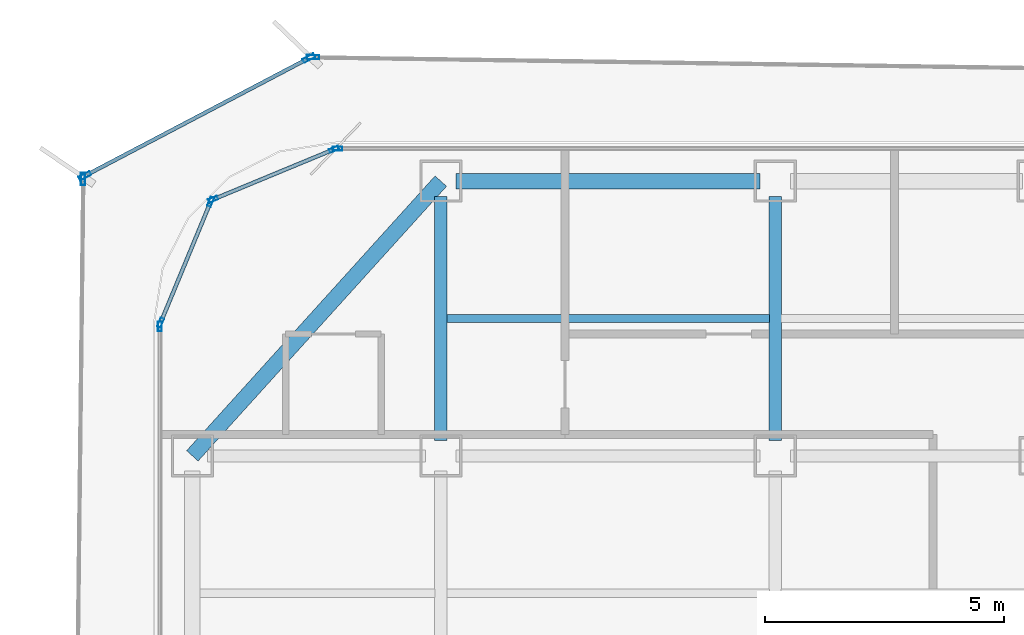
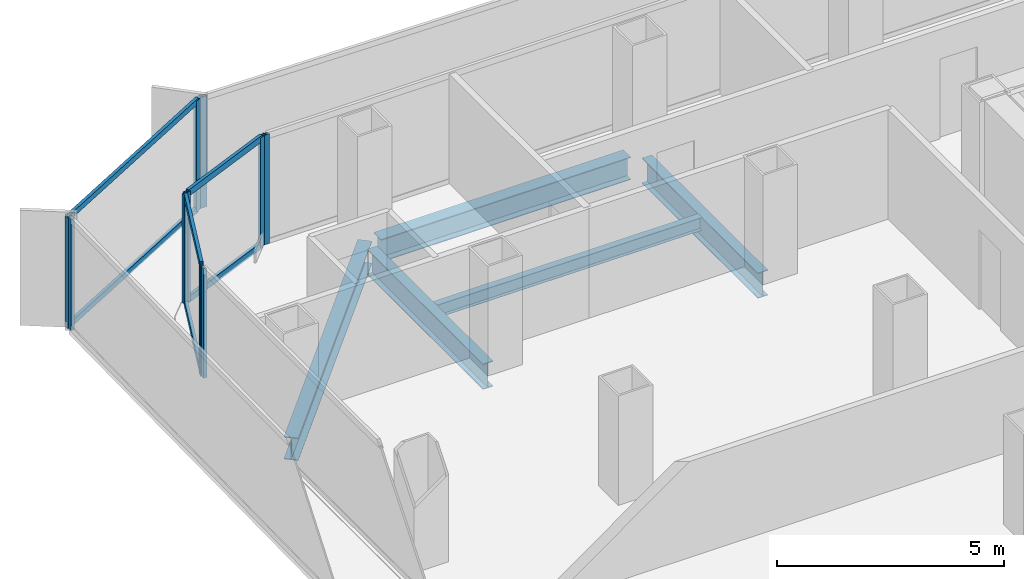
# One storey, part 10 of 21: 16 members, 5 beams, 7 elements without a shape of their own.
"""IFC4 building model written with IfcOpenShell, lengths in metres."""

from ifc_helpers import new_model, si_unit, direction, frame, origin, origin_2d, place, context, subcontext, project, spatial, hollow_rectangle, i_section, extrude, source, transform, mapped, material, layer, layer_set, material_profile, profile_set, type_object, element, aggregate, save


model = new_model("IFC4")

# Units and contexts
model_context = context("Model", 3, precision=1e-05, world=origin(), true_north=direction((0.0, 1.0)))
body_context = subcontext(model_context, "Body", "Model", "MODEL_VIEW")
ifc_project = project(units=[si_unit("LENGTHUNIT", "METRE"), si_unit("AREAUNIT", "SQUARE_METRE"), si_unit("VOLUMEUNIT", "CUBIC_METRE"), si_unit("PLANEANGLEUNIT", "RADIAN"), si_unit("MASSUNIT", "GRAM", prefix="KILO")], contexts=[model_context])

# Site, building, storey
site_placement = place(None, origin())
site = spatial("IfcSite", under=ifc_project, at=site_placement, CompositionType="ELEMENT")
building_placement = place(site_placement, origin())
building = spatial("IfcBuilding", under=site, at=building_placement, Name="Kolveth Station Tower", CompositionType="ELEMENT")
storey_placement = place(building_placement, frame((0.0, 0.0, 115.10009765625)))
storey = spatial("IfcBuildingStorey", under=building, at=storey_placement, Name="L31", CompositionType="ELEMENT", Elevation=115.10009765625)

# Beams
ifc_material_1 = material(Name="Steel S355", Category="steel")
ifc_material_profile_1 = material_profile(ifc_material_1, i_section(OverallWidth=0.323974609375, OverallDepth=0.611083984375, WebThickness=0.0126953125, FlangeThickness=0.01904296875, at=origin_2d()), Name="W610x155")
ifc_profile_set_1 = profile_set([ifc_material_profile_1], Name="Steel S355")
beam_type_1 = type_object("IfcBeamType", Name="Beam_SP2", PredefinedType="SPANDREL", material=ifc_profile_set_1)
shared_shape_1 = source(origin(), body_context, "Body", "SweptSolid", [
    extrude(i_section(OverallWidth=0.323974609375, OverallDepth=0.611083984375, WebThickness=0.0126953125, FlangeThickness=0.01904296875, at=origin_2d()), origin(), (0.0, 0.0, 1.0), 6.35986328125),
])
beam_1_placement = place(storey_placement, frame((6.320068359375, 34.5, -0.5556640625), z_axis=(1.0, 0.0, 0.0), x_axis=(0.0, 1.0, 0.0)))
element("IfcBeam", 1, at=beam_1_placement, inside=storey, type_object=beam_type_1, Name="L31 Perimeter Spandrel BM-L31-PN-1", PredefinedType="SPANDREL", context=body_context, shape_type="MappedRepresentation", body=[
    mapped(shared_shape_1, transform((0.0, 0.0, 0.0), x_axis=(1.0, 0.0, 0.0), y_axis=(0.0, 1.0, 0.0), z_axis=(0.0, 0.0, 1.0), scale=1.0)),
])
shared_shape_2 = source(origin(), body_context, "Body", "SweptSolid", [
    extrude(i_section(OverallWidth=0.323974609375, OverallDepth=0.611083984375, WebThickness=0.0126953125, FlangeThickness=0.01904296875, at=origin_2d()), origin(), (0.0, 0.0, 1.0), 7.75244140625),
])
beam_2_placement = place(storey_placement, frame((6.0, 34.5, -0.5556640625), z_axis=(-0.670740965555, -0.74169168603, 0.0), x_axis=(0.74169168603, -0.670740965555, 0.0)))
element("IfcBeam", 2, at=beam_2_placement, inside=storey, type_object=beam_type_1, Name="L31 Corner Edge Girder BM-L31-CNR-NW", PredefinedType="SPANDREL", context=body_context, shape_type="MappedRepresentation", body=[
    mapped(shared_shape_2, transform((0.0, 0.0, 0.0), x_axis=(1.0, 0.0, 0.0), y_axis=(0.0, 1.0, 0.0), z_axis=(0.0, 0.0, 1.0), scale=1.0)),
])
ifc_material_profile_2 = material_profile(ifc_material_1, i_section(OverallWidth=0.25390625, OverallDepth=0.68798828125, WebThickness=0.01318359375, FlangeThickness=0.02099609375, at=origin_2d()), Name="W690x152")
ifc_profile_set_2 = profile_set([ifc_material_profile_2], Name="Steel S355")
beam_type_2 = type_object("IfcBeamType", Name="Beam_B4", PredefinedType="BEAM", material=ifc_profile_set_2)
shared_shape_3 = source(origin(), body_context, "Body", "SweptSolid", [
    extrude(i_section(OverallWidth=0.25390625, OverallDepth=0.68798828125, WebThickness=0.01318359375, FlangeThickness=0.02099609375, at=origin_2d()), origin(), (0.0, 0.0, 1.0), 5.10986328125),
])
for number, where, z_axis, x_axis, name in (
    (3, (6.0, 29.070068359375, -0.593994140625), (0.0, 1.0, 0.0), (-1.0, 0.0, 0.0), "L31 Primary Girder BM-L31-GX60-6"),
    (4, (13.0, 29.070068359375, -0.593994140625), (0.0, 1.0, 0.0), (-1.0, 0.0, 0.0), "L31 Primary Girder BM-L31-GX130-6"),
):
    element("IfcBeam", number, at=place(storey_placement, frame(where, z_axis=z_axis, x_axis=x_axis)), inside=storey, type_object=beam_type_2, Name=name, PredefinedType="BEAM", context=body_context, shape_type="MappedRepresentation", body=[
        mapped(shared_shape_3, transform((0.0, 0.0, 0.0), x_axis=(1.0, 0.0, 0.0), y_axis=(0.0, 1.0, 0.0), z_axis=(0.0, 0.0, 1.0), scale=1.0)),
    ])
ifc_material_profile_3 = material_profile(ifc_material_1, i_section(OverallWidth=0.1708984375, OverallDepth=0.35205078125, WebThickness=0.0068359375, FlangeThickness=0.009765625, at=origin_2d()), Name="W360x44")
ifc_profile_set_3 = profile_set([ifc_material_profile_3], Name="Steel S355")
beam_type_3 = type_object("IfcBeamType", Name="Beam_J2", PredefinedType="JOIST", material=ifc_profile_set_3)
shared_shape_4 = source(origin(), body_context, "Body", "SweptSolid", [
    extrude(i_section(OverallWidth=0.1708984375, OverallDepth=0.35205078125, WebThickness=0.0068359375, FlangeThickness=0.009765625, at=origin_2d()), origin(), (0.0, 0.0, 1.0), 6.75),
])
beam_3_placement = place(storey_placement, frame((6.125, 31.625, -0.426025390625), z_axis=(1.0, 0.0, 0.0), x_axis=(0.0, 1.0, 0.0)))
element("IfcBeam", 5, at=beam_3_placement, inside=storey, type_object=beam_type_3, Name="L31 Secondary Joist JST-L31-2-6", PredefinedType="JOIST", context=body_context, shape_type="MappedRepresentation", body=[
    mapped(shared_shape_4, transform((0.0, 0.0, 0.0), x_axis=(1.0, 0.0, 0.0), y_axis=(0.0, 1.0, 0.0), z_axis=(0.0, 0.0, 1.0), scale=1.0)),
])

# Curtain wall, member
ifc_material_2 = material(Name="Aluminium 6063-T6 and low-E dark glass", Category="aluminium")
ifc_layer_1 = layer(ifc_material_2, 0.18994140625)
ifc_layer_set_1 = layer_set([ifc_layer_1], Name="Aluminium 6063-T6 and low-E dark glass")
curtain_wall_type_1 = type_object("IfcCurtainWallType", Name="CurtainWall_CW-Z2", PredefinedType="NOTDEFINED", material=ifc_layer_set_1)
curtain_wall_1_placement = place(storey_placement, origin())
curtain_wall_1 = element("IfcCurtainWall", 6, at=curtain_wall_1_placement, inside=storey, type_object=curtain_wall_type_1, Name="L31 Inner Thermal Curtain Wall 6", PredefinedType="NOTDEFINED")
ifc_material_3 = material(Name="Black anodized aluminium 6063-T6", Category="aluminium")
ifc_material_profile_4 = material_profile(ifc_material_3, hollow_rectangle(XDim=0.080078125, YDim=0.199951171875, WallThickness=0.0048828125, at=origin_2d()), Name="ALU-80x200x5")
ifc_profile_set_4 = profile_set([ifc_material_profile_4], Name="Black anodized aluminium 6063-T6")
member_type_1 = type_object("IfcMemberType", Name="Mullion_ML2", PredefinedType="MULLION", material=ifc_profile_set_4)
shared_shape_5 = source(origin(), body_context, "Body", "SweptSolid", [
    extrude(hollow_rectangle(XDim=0.080078125, YDim=0.199951171875, WallThickness=0.0048828125, at=origin_2d()), origin(), (0.0, 0.0, 1.0), 2.949951171875),
])
member_1_placement = place(storey_placement, frame((3.840087890625, 35.179931640625, 0.0), z_axis=(0.0, 0.0, 1.0), x_axis=(0.0, -1.0, 0.0)))
member_1 = element("IfcMember", 7, at=member_1_placement, type_object=member_type_1, Name="CW-Z2 mullion 3", PredefinedType="MULLION", context=body_context, shape_type="MappedRepresentation", body=[
    mapped(shared_shape_5, transform((0.0, 0.0, 0.0), x_axis=(1.0, 0.0, 0.0), y_axis=(0.0, 1.0, 0.0), z_axis=(0.0, 0.0, 1.0), scale=1.0)),
])
aggregate(curtain_wall_1, [member_1])

# Curtain wall, members
curtain_wall_2_placement = place(storey_placement, origin())
curtain_wall_2 = element("IfcCurtainWall", 8, at=curtain_wall_2_placement, inside=storey, type_object=curtain_wall_type_1, Name="L31 Inner Thermal Curtain Wall 7", PredefinedType="NOTDEFINED")
member_2_placement = place(storey_placement, frame((3.762939453125, 35.164794921875, 0.0), z_axis=(0.0, 0.0, 1.0), x_axis=(0.38266326998, -0.923887883787, 0.0)))
member_2 = element("IfcMember", 9, at=member_2_placement, type_object=member_type_1, Name="CW-Z2 mullion 1", PredefinedType="MULLION", context=body_context, shape_type="MappedRepresentation", body=[
    mapped(shared_shape_5, transform((0.0, 0.0, 0.0), x_axis=(1.0, 0.0, 0.0), y_axis=(0.0, 1.0, 0.0), z_axis=(0.0, 0.0, 1.0), scale=1.0)),
])
member_3_placement = place(storey_placement, frame((1.23486328125, 34.117431640625, 0.0), z_axis=(0.0, 0.0, 1.0), x_axis=(0.38266326998, -0.923887883787, 0.0)))
member_3 = element("IfcMember", 10, at=member_3_placement, type_object=member_type_1, Name="CW-Z2 mullion 2", PredefinedType="MULLION", context=body_context, shape_type="MappedRepresentation", body=[
    mapped(shared_shape_5, transform((0.0, 0.0, 0.0), x_axis=(1.0, 0.0, 0.0), y_axis=(0.0, 1.0, 0.0), z_axis=(0.0, 0.0, 1.0), scale=1.0)),
])

curtain_wall_3_placement = place(storey_placement, origin())
curtain_wall_3 = element("IfcCurtainWall", 11, at=curtain_wall_3_placement, inside=storey, type_object=curtain_wall_type_1, Name="L31 Inner Thermal Curtain Wall 8", PredefinedType="NOTDEFINED")
member_4_placement = place(storey_placement, frame((1.182373046875, 34.065185546875, 0.0), z_axis=(0.0, 0.0, 1.0), x_axis=(0.923887883787, -0.38266326998, 0.0)))
member_4 = element("IfcMember", 12, at=member_4_placement, type_object=member_type_1, Name="CW-Z2 mullion 1", PredefinedType="MULLION", context=body_context, shape_type="MappedRepresentation", body=[
    mapped(shared_shape_5, transform((0.0, 0.0, 0.0), x_axis=(1.0, 0.0, 0.0), y_axis=(0.0, 1.0, 0.0), z_axis=(0.0, 0.0, 1.0), scale=1.0)),
])
member_5_placement = place(storey_placement, frame((0.13525390625, 31.536865234375, 0.0), z_axis=(0.0, 0.0, 1.0), x_axis=(0.923887883787, -0.38266326998, 0.0)))
member_5 = element("IfcMember", 13, at=member_5_placement, type_object=member_type_1, Name="CW-Z2 mullion 2", PredefinedType="MULLION", context=body_context, shape_type="MappedRepresentation", body=[
    mapped(shared_shape_5, transform((0.0, 0.0, 0.0), x_axis=(1.0, 0.0, 0.0), y_axis=(0.0, 1.0, 0.0), z_axis=(0.0, 0.0, 1.0), scale=1.0)),
])

# Curtain wall, member
curtain_wall_4_placement = place(storey_placement, origin())
curtain_wall_4 = element("IfcCurtainWall", 14, at=curtain_wall_4_placement, inside=storey, type_object=curtain_wall_type_1, Name="L31 Inner Thermal Curtain Wall 9", PredefinedType="NOTDEFINED")
member_6_placement = place(storey_placement, frame((0.1201171875, 31.4599609375, 0.0), z_axis=(0.0, 0.0, 1.0), x_axis=(1.0, 0.0, 0.0)))
member_6 = element("IfcMember", 15, at=member_6_placement, type_object=member_type_1, Name="CW-Z2 mullion 1", PredefinedType="MULLION", context=body_context, shape_type="MappedRepresentation", body=[
    mapped(shared_shape_5, transform((0.0, 0.0, 0.0), x_axis=(1.0, 0.0, 0.0), y_axis=(0.0, 1.0, 0.0), z_axis=(0.0, 0.0, 1.0), scale=1.0)),
])
aggregate(curtain_wall_4, [member_6])

# Member
ifc_material_profile_5 = material_profile(ifc_material_3, hollow_rectangle(XDim=0.080078125, YDim=0.169921875, WallThickness=0.0048828125, at=origin_2d()), Name="ALU-80x170x5")
ifc_profile_set_5 = profile_set([ifc_material_profile_5], Name="Black anodized aluminium 6063-T6")
member_type_2 = type_object("IfcMemberType", Name="Transom_TR2", PredefinedType="USERDEFINED", material=ifc_profile_set_5)
shared_shape_6 = source(origin(), body_context, "Body", "SweptSolid", [
    extrude(hollow_rectangle(XDim=0.080078125, YDim=0.169921875, WallThickness=0.0048828125, at=origin_2d()), origin(), (0.0, 0.0, 1.0), 2.656494140625),
])
member_7_placement = place(storey_placement, frame((3.72607421875, 35.1494140625, 0.039794921875), z_axis=(-0.923882422403, -0.382676455475, 0.0), x_axis=(0.382676455475, -0.923882422403, 0.0)))
member_7 = element("IfcMember", 16, at=member_7_placement, type_object=member_type_2, Name="CW-Z2 transom 1.1", ObjectType="TRANSOM", PredefinedType="USERDEFINED", context=body_context, shape_type="MappedRepresentation", body=[
    mapped(shared_shape_6, transform((0.0, 0.0, 0.0), x_axis=(1.0, 0.0, 0.0), y_axis=(0.0, 1.0, 0.0), z_axis=(0.0, 0.0, 1.0), scale=1.0)),
])

member_8_placement = place(storey_placement, frame((3.72607421875, 35.1494140625, 2.909912109375), z_axis=(-0.923882422403, -0.382676455475, 0.0), x_axis=(0.382676455475, -0.923882422403, 0.0)))
member_8 = element("IfcMember", 17, at=member_8_placement, type_object=member_type_2, Name="CW-Z2 transom 1.2", ObjectType="TRANSOM", PredefinedType="USERDEFINED", context=body_context, shape_type="MappedRepresentation", body=[
    mapped(shared_shape_6, transform((0.0, 0.0, 0.0), x_axis=(1.0, 0.0, 0.0), y_axis=(0.0, 1.0, 0.0), z_axis=(0.0, 0.0, 1.0), scale=1.0)),
])

aggregate(curtain_wall_2, [member_2, member_3, member_7, member_8])

member_9_placement = place(storey_placement, frame((1.167236328125, 34.0283203125, 0.039794921875), z_axis=(-0.382676455475, -0.923882422403, 0.0), x_axis=(0.923882422403, -0.382676455475, 0.0)))
member_9 = element("IfcMember", 18, at=member_9_placement, type_object=member_type_2, Name="CW-Z2 transom 1.1", ObjectType="TRANSOM", PredefinedType="USERDEFINED", context=body_context, shape_type="MappedRepresentation", body=[
    mapped(shared_shape_6, transform((0.0, 0.0, 0.0), x_axis=(1.0, 0.0, 0.0), y_axis=(0.0, 1.0, 0.0), z_axis=(0.0, 0.0, 1.0), scale=1.0)),
])

member_10_placement = place(storey_placement, frame((1.167236328125, 34.0283203125, 2.909912109375), z_axis=(-0.382676455475, -0.923882422403, 0.0), x_axis=(0.923882422403, -0.382676455475, 0.0)))
member_10 = element("IfcMember", 19, at=member_10_placement, type_object=member_type_2, Name="CW-Z2 transom 1.2", ObjectType="TRANSOM", PredefinedType="USERDEFINED", context=body_context, shape_type="MappedRepresentation", body=[
    mapped(shared_shape_6, transform((0.0, 0.0, 0.0), x_axis=(1.0, 0.0, 0.0), y_axis=(0.0, 1.0, 0.0), z_axis=(0.0, 0.0, 1.0), scale=1.0)),
])

aggregate(curtain_wall_3, [member_4, member_5, member_9, member_10])

# Curtain wall, member
ifc_material_4 = material(Name="Black anodized aluminium 6063-T6 and dark solar glass", Category="aluminium")
ifc_layer_2 = layer(ifc_material_4, 0.159912109375)
ifc_layer_set_2 = layer_set([ifc_layer_2], Name="Black anodized aluminium 6063-T6 and dark solar glass")
curtain_wall_type_2 = type_object("IfcCurtainWallType", Name="OUTER SKIN CW-OS", PredefinedType="NOTDEFINED", material=ifc_layer_set_2)
curtain_wall_5_placement = place(storey_placement, origin())
curtain_wall_5 = element("IfcCurtainWall", 20, at=curtain_wall_5_placement, inside=storey, type_object=curtain_wall_type_2, Name="L31 Outer Ventilated Skin Curtain Wall 4", PredefinedType="NOTDEFINED")
ifc_material_profile_6 = material_profile(ifc_material_3, hollow_rectangle(XDim=0.090087890625, YDim=0.260009765625, WallThickness=0.0048828125, at=origin_2d()), Name="ALU-90x260x5")
ifc_profile_set_6 = profile_set([ifc_material_profile_6], Name="Black anodized aluminium 6063-T6")
member_type_3 = type_object("IfcMemberType", Name="FIN MULLION ML-OS", PredefinedType="MULLION", material=ifc_profile_set_6)
shared_shape_7 = source(origin(), body_context, "Body", "SweptSolid", [
    extrude(hollow_rectangle(XDim=0.090087890625, YDim=0.260009765625, WallThickness=0.0048828125, at=origin_2d()), origin(), (0.0, 0.0, 1.0), 2.989990234375),
])
member_11_placement = place(storey_placement, frame((3.325439453125, 37.0947265625, 0.0), z_axis=(0.0, 0.0, 1.0), x_axis=(-0.014789732241, -0.999890625929, 0.0)))
member_11 = element("IfcMember", 21, at=member_11_placement, type_object=member_type_3, Name="CW-OS mullion 2", PredefinedType="MULLION", context=body_context, shape_type="MappedRepresentation", body=[
    mapped(shared_shape_7, transform((0.0, 0.0, 0.0), x_axis=(1.0, 0.0, 0.0), y_axis=(0.0, 1.0, 0.0), z_axis=(0.0, 0.0, 1.0), scale=1.0)),
])
aggregate(curtain_wall_5, [member_11])

# Curtain wall, members
curtain_wall_6_placement = place(storey_placement, origin())
curtain_wall_6 = element("IfcCurtainWall", 22, at=curtain_wall_6_placement, inside=storey, type_object=curtain_wall_type_2, Name="L31 Outer Ventilated Skin Curtain Wall 5", PredefinedType="NOTDEFINED")
member_12_placement = place(storey_placement, frame((3.240478515625, 37.074462890625, 0.0), z_axis=(0.0, 0.0, 1.0), x_axis=(0.465006354186, -0.885307342433, 0.0)))
member_12 = element("IfcMember", 23, at=member_12_placement, type_object=member_type_3, Name="CW-OS mullion 1", PredefinedType="MULLION", context=body_context, shape_type="MappedRepresentation", body=[
    mapped(shared_shape_7, transform((0.0, 0.0, 0.0), x_axis=(1.0, 0.0, 0.0), y_axis=(0.0, 1.0, 0.0), z_axis=(0.0, 0.0, 1.0), scale=1.0)),
])
member_13_placement = place(storey_placement, frame((-1.4482421875, 34.611572265625, 0.0), z_axis=(0.0, 0.0, 1.0), x_axis=(0.465006354186, -0.885307342433, 0.0)))
member_13 = element("IfcMember", 24, at=member_13_placement, type_object=member_type_3, Name="CW-OS mullion 2", PredefinedType="MULLION", context=body_context, shape_type="MappedRepresentation", body=[
    mapped(shared_shape_7, transform((0.0, 0.0, 0.0), x_axis=(1.0, 0.0, 0.0), y_axis=(0.0, 1.0, 0.0), z_axis=(0.0, 0.0, 1.0), scale=1.0)),
])

# Curtain wall, member
curtain_wall_7_placement = place(storey_placement, origin())
curtain_wall_7 = element("IfcCurtainWall", 25, at=curtain_wall_7_placement, inside=storey, type_object=curtain_wall_type_2, Name="L31 Outer Ventilated Skin Curtain Wall 6", PredefinedType="NOTDEFINED")
member_14_placement = place(storey_placement, frame((-1.48876953125, 34.545654296875, 0.0), z_axis=(0.0, 0.0, 1.0), x_axis=(0.999933340447, -0.011546196923, 0.0)))
member_14 = element("IfcMember", 26, at=member_14_placement, type_object=member_type_3, Name="CW-OS mullion 1", PredefinedType="MULLION", context=body_context, shape_type="MappedRepresentation", body=[
    mapped(shared_shape_7, transform((0.0, 0.0, 0.0), x_axis=(1.0, 0.0, 0.0), y_axis=(0.0, 1.0, 0.0), z_axis=(0.0, 0.0, 1.0), scale=1.0)),
])
aggregate(curtain_wall_7, [member_14])

# Member
ifc_material_profile_7 = material_profile(ifc_material_3, hollow_rectangle(XDim=0.080078125, YDim=0.14990234375, WallThickness=0.0048828125, at=origin_2d()), Name="ALU-80x150x5")
ifc_profile_set_7 = profile_set([ifc_material_profile_7], Name="Black anodized aluminium 6063-T6")
member_type_4 = type_object("IfcMemberType", Name="Transom_TR-OS", PredefinedType="USERDEFINED", material=ifc_profile_set_7)
shared_shape_8 = source(origin(), body_context, "Body", "SweptSolid", [
    extrude(hollow_rectangle(XDim=0.080078125, YDim=0.14990234375, WallThickness=0.0048828125, at=origin_2d()), origin(), (0.0, 0.0, 1.0), 5.206298828125),
])
member_15_placement = place(storey_placement, frame((3.20068359375, 37.053466796875, 0.039794921875), z_axis=(-0.885310555591, -0.465000236731, 0.0), x_axis=(0.465000236731, -0.885310555591, 0.0)))
member_15 = element("IfcMember", 27, at=member_15_placement, type_object=member_type_4, Name="CW-OS transom 1.1", ObjectType="TRANSOM", PredefinedType="USERDEFINED", context=body_context, shape_type="MappedRepresentation", body=[
    mapped(shared_shape_8, transform((0.0, 0.0, 0.0), x_axis=(1.0, 0.0, 0.0), y_axis=(0.0, 1.0, 0.0), z_axis=(0.0, 0.0, 1.0), scale=1.0)),
])

member_16_placement = place(storey_placement, frame((3.20068359375, 37.053466796875, 2.949951171875), z_axis=(-0.885310555591, -0.465000236731, 0.0), x_axis=(0.465000236731, -0.885310555591, 0.0)))
member_16 = element("IfcMember", 28, at=member_16_placement, type_object=member_type_4, Name="CW-OS transom 1.2", ObjectType="TRANSOM", PredefinedType="USERDEFINED", context=body_context, shape_type="MappedRepresentation", body=[
    mapped(shared_shape_8, transform((0.0, 0.0, 0.0), x_axis=(1.0, 0.0, 0.0), y_axis=(0.0, 1.0, 0.0), z_axis=(0.0, 0.0, 1.0), scale=1.0)),
])

aggregate(curtain_wall_6, [member_12, member_13, member_15, member_16])

save(model, "model.ifc")
